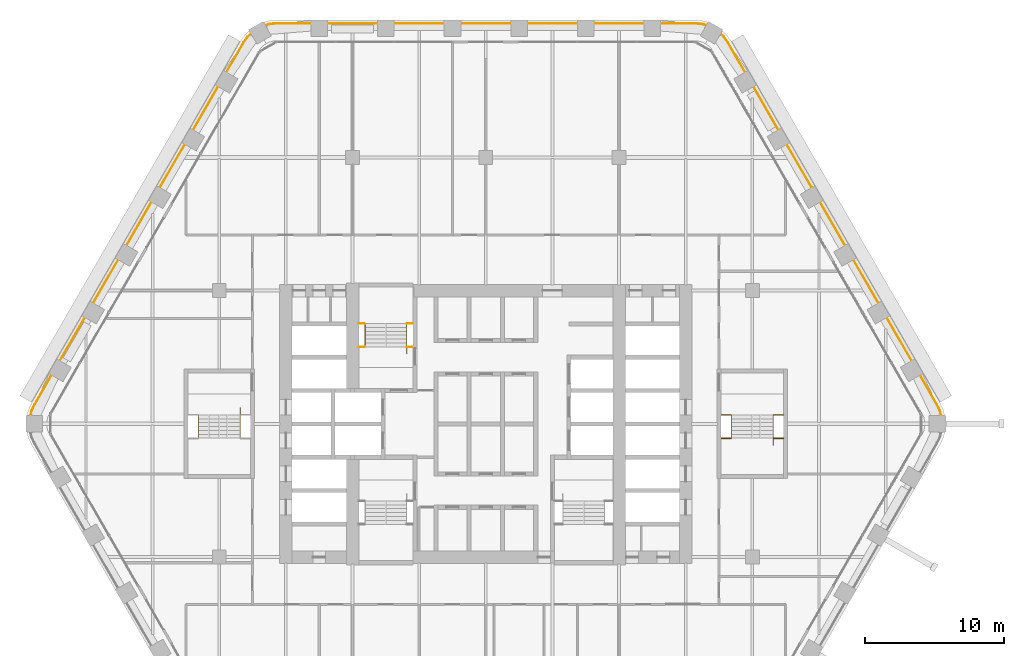
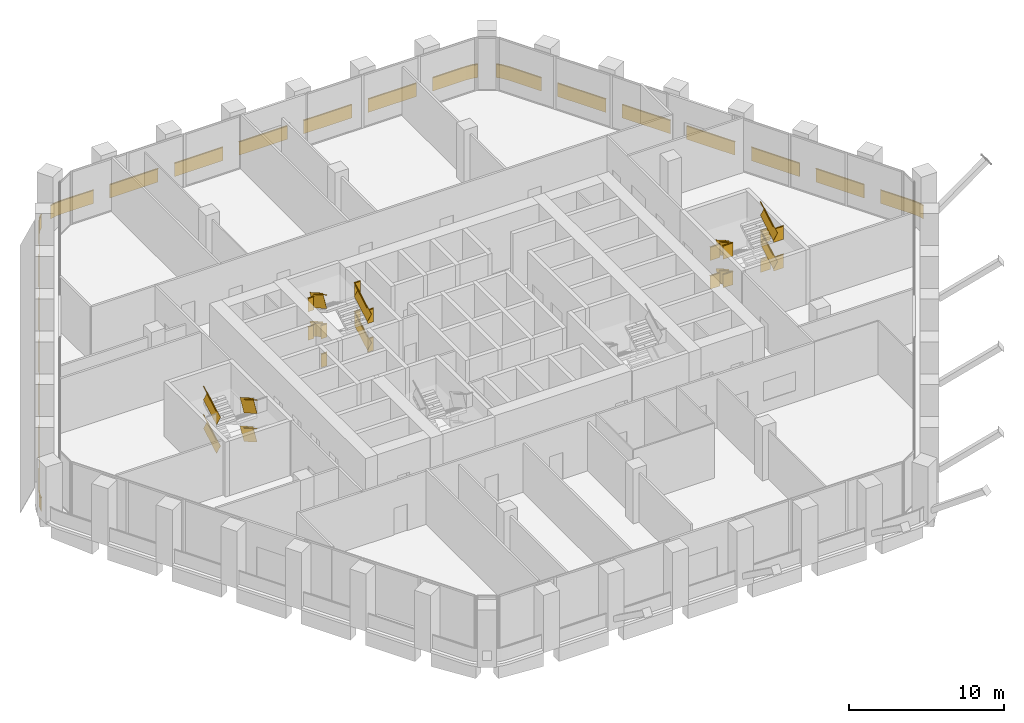
# One storey, part 24 of 24: 8 railings.
"""IFC4 building model written with IfcOpenShell, lengths in metres."""

from ifc_helpers import new_model, si_unit, direction, frame, frame_2d, origin, origin_2d, place, context, subcontext, project, spatial, rectangle, extrude, material, type_object, element, save


model = new_model("IFC4")

# Units and contexts
model_context = context("Model", 3, precision=1e-05, world=origin(), true_north=direction((0.0, 1.0)))
body_context = subcontext(model_context, "Body", "Model", "MODEL_VIEW")
ifc_project = project(units=[si_unit("LENGTHUNIT", "METRE"), si_unit("AREAUNIT", "SQUARE_METRE"), si_unit("VOLUMEUNIT", "CUBIC_METRE"), si_unit("PLANEANGLEUNIT", "RADIAN"), si_unit("MASSUNIT", "GRAM", prefix="KILO")], contexts=[model_context])

# Site, building, storey
site_placement = place(None, origin())
site = spatial("IfcSite", under=ifc_project, at=site_placement, CompositionType="ELEMENT")
building_placement = place(site_placement, origin())
building = spatial("IfcBuilding", under=site, at=building_placement, Name="Kolab Exchange Tower", CompositionType="ELEMENT")
storey_placement = place(building_placement, frame((0.0, 0.0, 86.89990234375)))
storey = spatial("IfcBuildingStorey", under=building, at=storey_placement, Name="L16", CompositionType="ELEMENT", Elevation=86.89990234375)

# Railings
ifc_material_1 = material(Name="Stainless steel 316", Category="steel")
railing_type_1 = type_object("IfcRailingType", Name="GUARD 1100", PredefinedType="GUARDRAIL", material=ifc_material_1)
railing_1_placement = place(storey_placement, frame((-9.14990234375, 5.550048828125, 0.0)))
element("IfcRailing", 1, at=railing_1_placement, inside=storey, type_object=railing_type_1, Name="Guard ST1", PredefinedType="GUARDRAIL", context=body_context, shape_type="SweptSolid", body=[
    extrude(rectangle(XDim=0.05, YDim=0.05, at=origin_2d()), frame((0.0, 0.0, 1.0751953125), z_axis=(1.0, 0.0, 0.0), x_axis=(0.0, 1.0, 0.0)), (0.0, 0.0, 1.0), 0.43994140625),
    extrude(rectangle(XDim=0.012, YDim=1.05009765625, at=frame_2d((0.0, 0.525146484375))), frame((0.0, 0.0, 0.0), z_axis=(1.0, 0.0, 0.0), x_axis=(0.0, 1.0, 0.0)), (0.0, 0.0, 1.0), 0.43994140625),
    extrude(rectangle(XDim=0.05, YDim=0.05, at=origin_2d()), frame((3.4599609375, 0.0, 1.0751953125), z_axis=(1.0, 0.0, 0.0), x_axis=(0.0, 1.0, 0.0)), (0.0, 0.0, 1.0), 0.43994140625),
    extrude(rectangle(XDim=0.012, YDim=1.05009765625, at=frame_2d((0.0, 0.525146484375))), frame((3.4599609375, 0.0, 0.0), z_axis=(1.0, 0.0, 0.0), x_axis=(0.0, 1.0, 0.0)), (0.0, 0.0, 1.0), 0.43994140625),
    extrude(rectangle(XDim=0.05, YDim=0.05, at=origin_2d()), frame((0.0, 1.679931640625, 2.2001953125), z_axis=(1.0, 0.0, 0.0), x_axis=(0.0, 1.0, 0.0)), (0.0, 0.0, 1.0), 0.43994140625),
    extrude(rectangle(XDim=0.012, YDim=1.05009765625, at=frame_2d((0.0, 0.525146484375))), frame((0.0, 1.679931640625, 1.125), z_axis=(1.0, 0.0, 0.0), x_axis=(0.0, 1.0, 0.0)), (0.0, 0.0, 1.0), 0.43994140625),
    extrude(rectangle(XDim=0.05, YDim=0.05, at=origin_2d()), frame((3.4599609375, 1.679931640625, 2.2001953125), z_axis=(1.0, 0.0, 0.0), x_axis=(0.0, 1.0, 0.0)), (0.0, 0.0, 1.0), 0.43994140625),
    extrude(rectangle(XDim=0.012, YDim=1.05009765625, at=frame_2d((0.0, 0.525146484375))), frame((3.4599609375, 1.679931640625, 1.125), z_axis=(1.0, 0.0, 0.0), x_axis=(0.0, 1.0, 0.0)), (0.0, 0.0, 1.0), 0.43994140625),
    extrude(rectangle(XDim=0.05, YDim=0.05, at=origin_2d()), frame((0.0, 0.0, 3.3251953125), z_axis=(1.0, 0.0, 0.0), x_axis=(0.0, 1.0, 0.0)), (0.0, 0.0, 1.0), 0.43994140625),
    extrude(rectangle(XDim=0.012, YDim=1.05009765625, at=frame_2d((0.0, 0.525146484375))), frame((0.0, 0.0, 2.25), z_axis=(1.0, 0.0, 0.0), x_axis=(0.0, 1.0, 0.0)), (0.0, 0.0, 1.0), 0.43994140625),
    extrude(rectangle(XDim=0.05, YDim=0.05, at=origin_2d()), frame((3.4599609375, 0.0, 3.3251953125), z_axis=(1.0, 0.0, 0.0), x_axis=(0.0, 1.0, 0.0)), (0.0, 0.0, 1.0), 0.43994140625),
    extrude(rectangle(XDim=0.012, YDim=1.05009765625, at=frame_2d((0.0, 0.525146484375))), frame((3.4599609375, 0.0, 2.25), z_axis=(1.0, 0.0, 0.0), x_axis=(0.0, 1.0, 0.0)), (0.0, 0.0, 1.0), 0.43994140625),
    extrude(rectangle(XDim=0.05, YDim=0.05, at=origin_2d()), frame((0.0, 1.679931640625, 4.4501953125), z_axis=(1.0, 0.0, 0.0), x_axis=(0.0, 1.0, 0.0)), (0.0, 0.0, 1.0), 0.43994140625),
    extrude(rectangle(XDim=0.012, YDim=1.05009765625, at=frame_2d((0.0, 0.525146484375))), frame((0.0, 1.679931640625, 3.375), z_axis=(1.0, 0.0, 0.0), x_axis=(0.0, 1.0, 0.0)), (0.0, 0.0, 1.0), 0.43994140625),
    extrude(rectangle(XDim=0.05, YDim=0.05, at=origin_2d()), frame((3.4599609375, 1.679931640625, 4.4501953125), z_axis=(1.0, 0.0, 0.0), x_axis=(0.0, 1.0, 0.0)), (0.0, 0.0, 1.0), 0.43994140625),
    extrude(rectangle(XDim=0.012, YDim=1.05009765625, at=frame_2d((0.0, 0.525146484375))), frame((3.4599609375, 1.679931640625, 3.375), z_axis=(1.0, 0.0, 0.0), x_axis=(0.0, 1.0, 0.0)), (0.0, 0.0, 1.0), 0.43994140625),
])
railing_2_placement = place(storey_placement, frame((-5.68994140625, 5.550048828125, 0.160888671875)))
element("IfcRailing", 2, at=railing_2_placement, inside=storey, type_object=railing_type_1, Name="Handrail guard ST1", PredefinedType="GUARDRAIL", context=body_context, shape_type="SweptSolid", body=[
    extrude(rectangle(XDim=0.05, YDim=0.05, at=origin_2d()), frame((0.0, 0.0, 1.0751953125), z_axis=(0.0, 0.867318599139, 0.497753400378), x_axis=(-1.0, 0.0, 0.0)), (0.0, 0.0, 1.0), 1.93701171875),
    extrude(rectangle(XDim=0.012, YDim=1.05009765625, at=frame_2d((0.0, 0.525146484375))), frame((0.0, 0.0, 0.0), z_axis=(0.0, 0.867318599139, 0.497753400378), x_axis=(-1.0, 0.0, 0.0)), (0.0, 0.0, 1.0), 1.93701171875),
    extrude(rectangle(XDim=0.05, YDim=0.05, at=origin_2d()), frame((-3.02001953125, 1.679931640625, 2.2001953125), z_axis=(0.0, -0.867318599139, 0.497753400378), x_axis=(1.0, 0.0, 0.0)), (0.0, 0.0, 1.0), 1.93701171875),
    extrude(rectangle(XDim=0.012, YDim=1.05009765625, at=frame_2d((0.0, 0.525146484375))), frame((-3.02001953125, 1.679931640625, 1.125), z_axis=(0.0, -0.867318599139, 0.497753400378), x_axis=(1.0, 0.0, 0.0)), (0.0, 0.0, 1.0), 1.93701171875),
    extrude(rectangle(XDim=0.05, YDim=0.05, at=origin_2d()), frame((0.0, 0.0, 3.3251953125), z_axis=(0.0, 0.867318599139, 0.497753400378), x_axis=(-1.0, 0.0, 0.0)), (0.0, 0.0, 1.0), 1.93701171875),
    extrude(rectangle(XDim=0.012, YDim=1.05009765625, at=frame_2d((0.0, 0.525146484375))), frame((0.0, 0.0, 2.25), z_axis=(0.0, 0.867318599139, 0.497753400378), x_axis=(-1.0, 0.0, 0.0)), (0.0, 0.0, 1.0), 1.93701171875),
    extrude(rectangle(XDim=0.05, YDim=0.05, at=origin_2d()), frame((-3.02001953125, 1.679931640625, 4.4501953125), z_axis=(0.0, -0.867318599139, 0.497753400378), x_axis=(1.0, 0.0, 0.0)), (0.0, 0.0, 1.0), 1.93701171875),
    extrude(rectangle(XDim=0.012, YDim=1.05009765625, at=frame_2d((0.0, 0.525146484375))), frame((-3.02001953125, 1.679931640625, 3.375), z_axis=(0.0, -0.867318599139, 0.497753400378), x_axis=(1.0, 0.0, 0.0)), (0.0, 0.0, 1.0), 1.93701171875),
])
railing_3_placement = place(storey_placement, frame((16.949951171875, 0.64990234375, 0.0)))
element("IfcRailing", 3, at=railing_3_placement, inside=storey, type_object=railing_type_1, Name="Guard ST4", PredefinedType="GUARDRAIL", context=body_context, shape_type="SweptSolid", body=[
    extrude(rectangle(XDim=0.05, YDim=0.05, at=origin_2d()), frame((0.0, 0.0, 1.0751953125), z_axis=(1.0, 0.0, 0.0), x_axis=(0.0, 1.0, 0.0)), (0.0, 0.0, 1.0), 0.739990234375),
    extrude(rectangle(XDim=0.012, YDim=1.05009765625, at=frame_2d((0.0, 0.525146484375))), frame((0.0, 0.0, 0.0), z_axis=(1.0, 0.0, 0.0), x_axis=(0.0, 1.0, 0.0)), (0.0, 0.0, 1.0), 0.739990234375),
    extrude(rectangle(XDim=0.05, YDim=0.05, at=origin_2d()), frame((3.760009765625, 0.0, 1.0751953125), z_axis=(1.0, 0.0, 0.0), x_axis=(0.0, 1.0, 0.0)), (0.0, 0.0, 1.0), 0.739990234375),
    extrude(rectangle(XDim=0.012, YDim=1.05009765625, at=frame_2d((0.0, 0.525146484375))), frame((3.760009765625, 0.0, 0.0), z_axis=(1.0, 0.0, 0.0), x_axis=(0.0, 1.0, 0.0)), (0.0, 0.0, 1.0), 0.739990234375),
    extrude(rectangle(XDim=0.05, YDim=0.05, at=origin_2d()), frame((0.0, -1.679931640625, 2.2001953125), z_axis=(1.0, 0.0, 0.0), x_axis=(0.0, 1.0, 0.0)), (0.0, 0.0, 1.0), 0.739990234375),
    extrude(rectangle(XDim=0.012, YDim=1.05009765625, at=frame_2d((0.0, 0.525146484375))), frame((0.0, -1.679931640625, 1.125), z_axis=(1.0, 0.0, 0.0), x_axis=(0.0, 1.0, 0.0)), (0.0, 0.0, 1.0), 0.739990234375),
    extrude(rectangle(XDim=0.05, YDim=0.05, at=origin_2d()), frame((3.760009765625, -1.679931640625, 2.2001953125), z_axis=(1.0, 0.0, 0.0), x_axis=(0.0, 1.0, 0.0)), (0.0, 0.0, 1.0), 0.739990234375),
    extrude(rectangle(XDim=0.012, YDim=1.05009765625, at=frame_2d((0.0, 0.525146484375))), frame((3.760009765625, -1.679931640625, 1.125), z_axis=(1.0, 0.0, 0.0), x_axis=(0.0, 1.0, 0.0)), (0.0, 0.0, 1.0), 0.739990234375),
    extrude(rectangle(XDim=0.05, YDim=0.05, at=origin_2d()), frame((0.0, 0.0, 3.3251953125), z_axis=(1.0, 0.0, 0.0), x_axis=(0.0, 1.0, 0.0)), (0.0, 0.0, 1.0), 0.739990234375),
    extrude(rectangle(XDim=0.012, YDim=1.05009765625, at=frame_2d((0.0, 0.525146484375))), frame((0.0, 0.0, 2.25), z_axis=(1.0, 0.0, 0.0), x_axis=(0.0, 1.0, 0.0)), (0.0, 0.0, 1.0), 0.739990234375),
    extrude(rectangle(XDim=0.05, YDim=0.05, at=origin_2d()), frame((3.760009765625, 0.0, 3.3251953125), z_axis=(1.0, 0.0, 0.0), x_axis=(0.0, 1.0, 0.0)), (0.0, 0.0, 1.0), 0.739990234375),
    extrude(rectangle(XDim=0.012, YDim=1.05009765625, at=frame_2d((0.0, 0.525146484375))), frame((3.760009765625, 0.0, 2.25), z_axis=(1.0, 0.0, 0.0), x_axis=(0.0, 1.0, 0.0)), (0.0, 0.0, 1.0), 0.739990234375),
    extrude(rectangle(XDim=0.05, YDim=0.05, at=origin_2d()), frame((0.0, -1.679931640625, 4.4501953125), z_axis=(1.0, 0.0, 0.0), x_axis=(0.0, 1.0, 0.0)), (0.0, 0.0, 1.0), 0.739990234375),
    extrude(rectangle(XDim=0.012, YDim=1.05009765625, at=frame_2d((0.0, 0.525146484375))), frame((0.0, -1.679931640625, 3.375), z_axis=(1.0, 0.0, 0.0), x_axis=(0.0, 1.0, 0.0)), (0.0, 0.0, 1.0), 0.739990234375),
    extrude(rectangle(XDim=0.05, YDim=0.05, at=origin_2d()), frame((3.760009765625, -1.679931640625, 4.4501953125), z_axis=(1.0, 0.0, 0.0), x_axis=(0.0, 1.0, 0.0)), (0.0, 0.0, 1.0), 0.739990234375),
    extrude(rectangle(XDim=0.012, YDim=1.05009765625, at=frame_2d((0.0, 0.525146484375))), frame((3.760009765625, -1.679931640625, 3.375), z_axis=(1.0, 0.0, 0.0), x_axis=(0.0, 1.0, 0.0)), (0.0, 0.0, 1.0), 0.739990234375),
])
railing_4_placement = place(storey_placement, frame((17.68994140625, 0.64990234375, 0.160888671875)))
element("IfcRailing", 4, at=railing_4_placement, inside=storey, type_object=railing_type_1, Name="Handrail guard ST4", PredefinedType="GUARDRAIL", context=body_context, shape_type="SweptSolid", body=[
    extrude(rectangle(XDim=0.05, YDim=0.05, at=origin_2d()), frame((0.0, 0.0, 1.0751953125), z_axis=(0.0, -0.867318599139, 0.497753400378), x_axis=(1.0, 0.0, 0.0)), (0.0, 0.0, 1.0), 1.93701171875),
    extrude(rectangle(XDim=0.012, YDim=1.05009765625, at=frame_2d((0.0, 0.525146484375))), frame((0.0, 0.0, 0.0), z_axis=(0.0, -0.867318599139, 0.497753400378), x_axis=(1.0, 0.0, 0.0)), (0.0, 0.0, 1.0), 1.93701171875),
    extrude(rectangle(XDim=0.05, YDim=0.05, at=origin_2d()), frame((3.02001953125, -1.679931640625, 2.2001953125), z_axis=(0.0, 0.867318599139, 0.497753400378), x_axis=(-1.0, 0.0, 0.0)), (0.0, 0.0, 1.0), 1.93701171875),
    extrude(rectangle(XDim=0.012, YDim=1.05009765625, at=frame_2d((0.0, 0.525146484375))), frame((3.02001953125, -1.679931640625, 1.125), z_axis=(0.0, 0.867318599139, 0.497753400378), x_axis=(-1.0, 0.0, 0.0)), (0.0, 0.0, 1.0), 1.93701171875),
    extrude(rectangle(XDim=0.05, YDim=0.05, at=origin_2d()), frame((0.0, 0.0, 3.3251953125), z_axis=(0.0, -0.867318599139, 0.497753400378), x_axis=(1.0, 0.0, 0.0)), (0.0, 0.0, 1.0), 1.93701171875),
    extrude(rectangle(XDim=0.012, YDim=1.05009765625, at=frame_2d((0.0, 0.525146484375))), frame((0.0, 0.0, 2.25), z_axis=(0.0, -0.867318599139, 0.497753400378), x_axis=(1.0, 0.0, 0.0)), (0.0, 0.0, 1.0), 1.93701171875),
    extrude(rectangle(XDim=0.05, YDim=0.05, at=origin_2d()), frame((3.02001953125, -1.679931640625, 4.4501953125), z_axis=(0.0, 0.867318599139, 0.497753400378), x_axis=(-1.0, 0.0, 0.0)), (0.0, 0.0, 1.0), 1.93701171875),
    extrude(rectangle(XDim=0.012, YDim=1.05009765625, at=frame_2d((0.0, 0.525146484375))), frame((3.02001953125, -1.679931640625, 3.375), z_axis=(0.0, 0.867318599139, 0.497753400378), x_axis=(-1.0, 0.0, 0.0)), (0.0, 0.0, 1.0), 1.93701171875),
])
railing_5_placement = place(storey_placement, frame((-17.68994140625, 0.64990234375, 0.160888671875)))
element("IfcRailing", 5, at=railing_5_placement, inside=storey, type_object=railing_type_1, Name="Handrail guard ST5", PredefinedType="GUARDRAIL", context=body_context, shape_type="SweptSolid", body=[
    extrude(rectangle(XDim=0.05, YDim=0.05, at=origin_2d()), frame((0.0, 0.0, 1.0751953125), z_axis=(0.0, -0.867318599139, 0.497753400378), x_axis=(1.0, 0.0, 0.0)), (0.0, 0.0, 1.0), 1.93701171875),
    extrude(rectangle(XDim=0.012, YDim=1.05009765625, at=frame_2d((0.0, 0.525146484375))), frame((0.0, 0.0, 0.0), z_axis=(0.0, -0.867318599139, 0.497753400378), x_axis=(1.0, 0.0, 0.0)), (0.0, 0.0, 1.0), 1.93701171875),
    extrude(rectangle(XDim=0.05, YDim=0.05, at=origin_2d()), frame((-3.02001953125, -1.679931640625, 2.2001953125), z_axis=(0.0, 0.867318599139, 0.497753400378), x_axis=(-1.0, 0.0, 0.0)), (0.0, 0.0, 1.0), 1.93701171875),
    extrude(rectangle(XDim=0.012, YDim=1.05009765625, at=frame_2d((0.0, 0.525146484375))), frame((-3.02001953125, -1.679931640625, 1.125), z_axis=(0.0, 0.867318599139, 0.497753400378), x_axis=(-1.0, 0.0, 0.0)), (0.0, 0.0, 1.0), 1.93701171875),
    extrude(rectangle(XDim=0.05, YDim=0.05, at=origin_2d()), frame((0.0, 0.0, 3.3251953125), z_axis=(0.0, -0.867318599139, 0.497753400378), x_axis=(1.0, 0.0, 0.0)), (0.0, 0.0, 1.0), 1.93701171875),
    extrude(rectangle(XDim=0.012, YDim=1.05009765625, at=frame_2d((0.0, 0.525146484375))), frame((0.0, 0.0, 2.25), z_axis=(0.0, -0.867318599139, 0.497753400378), x_axis=(1.0, 0.0, 0.0)), (0.0, 0.0, 1.0), 1.93701171875),
    extrude(rectangle(XDim=0.05, YDim=0.05, at=origin_2d()), frame((-3.02001953125, -1.679931640625, 4.4501953125), z_axis=(0.0, 0.867318599139, 0.497753400378), x_axis=(-1.0, 0.0, 0.0)), (0.0, 0.0, 1.0), 1.93701171875),
    extrude(rectangle(XDim=0.012, YDim=1.05009765625, at=frame_2d((0.0, 0.525146484375))), frame((-3.02001953125, -1.679931640625, 3.375), z_axis=(0.0, 0.867318599139, 0.497753400378), x_axis=(-1.0, 0.0, 0.0)), (0.0, 0.0, 1.0), 1.93701171875),
])
ifc_material_2 = material(Name="Steel S235", Category="steel")
railing_type_2 = type_object("IfcRailingType", Name="GUARD 1100 GLASS BALUSTRADE AND STEEL TOP RAIL", PredefinedType="GUARDRAIL", material=ifc_material_2)
railing_6_placement = place(storey_placement, frame((15.89208984375, 28.7138671875, 0.0)))
element("IfcRailing", 6, at=railing_6_placement, inside=storey, type_object=railing_type_2, Name="Guard", PredefinedType="GUARDRAIL", context=body_context, shape_type="SweptSolid", body=[
    extrude(rectangle(XDim=0.05, YDim=0.05, at=origin_2d()), frame((0.0, 0.0, 1.0751953125), z_axis=(-0.966008746817, 0.258509382951, 0.0), x_axis=(-0.258509382951, -0.966008746817, 0.0)), (0.0, 0.0, 1.0), 0.35888671875),
    extrude(rectangle(XDim=0.012, YDim=1.05009765625, at=frame_2d((0.0, 0.525146484375))), frame((0.0, 0.0, 0.0), z_axis=(-0.966008746817, 0.258509382951, 0.0), x_axis=(-0.258509382951, -0.966008746817, 0.0)), (0.0, 0.0, 1.0), 0.35888671875),
    extrude(rectangle(XDim=0.05, YDim=0.05, at=origin_2d()), frame((-0.3466796875, 0.0927734375, 1.0751953125), z_axis=(-0.996200348447, 0.087091134757, 0.0), x_axis=(-0.087091134757, -0.996200348447, 0.0)), (0.0, 0.0, 1.0), 0.479248046875),
    extrude(rectangle(XDim=0.012, YDim=1.05009765625, at=frame_2d((0.0, 0.525146484375))), frame((-0.3466796875, 0.0927734375, 0.0), z_axis=(-0.996200348447, 0.087091134757, 0.0), x_axis=(-0.087091134757, -0.996200348447, 0.0)), (0.0, 0.0, 1.0), 0.479248046875),
    extrude(rectangle(XDim=0.05, YDim=0.05, at=origin_2d()), frame((-0.82421875, 0.134521484375, 1.0751953125), z_axis=(-1.0, 0.0, 0.0), x_axis=(0.0, -1.0, 0.0)), (0.0, 0.0, 1.0), 2.4677734375),
    extrude(rectangle(XDim=0.012, YDim=1.05009765625, at=frame_2d((0.0, 0.525146484375))), frame((-0.82421875, 0.134521484375, 0.0), z_axis=(-1.0, 0.0, 0.0), x_axis=(0.0, -1.0, 0.0)), (0.0, 0.0, 1.0), 2.4677734375),
    extrude(rectangle(XDim=0.05, YDim=0.05, at=origin_2d()), frame((-4.4921875, 0.134521484375, 1.0751953125), z_axis=(-1.0, 0.0, 0.0), x_axis=(0.0, -1.0, 0.0)), (0.0, 0.0, 1.0), 3.599853515625),
    extrude(rectangle(XDim=0.012, YDim=1.05009765625, at=frame_2d((0.0, 0.525146484375))), frame((-4.4921875, 0.134521484375, 0.0), z_axis=(-1.0, 0.0, 0.0), x_axis=(0.0, -1.0, 0.0)), (0.0, 0.0, 1.0), 3.599853515625),
    extrude(rectangle(XDim=0.05, YDim=0.05, at=origin_2d()), frame((-9.2919921875, 0.134521484375, 1.0751953125), z_axis=(-1.0, 0.0, 0.0), x_axis=(0.0, -1.0, 0.0)), (0.0, 0.0, 1.0), 3.60009765625),
    extrude(rectangle(XDim=0.012, YDim=1.05009765625, at=frame_2d((0.0, 0.525146484375))), frame((-9.2919921875, 0.134521484375, 0.0), z_axis=(-1.0, 0.0, 0.0), x_axis=(0.0, -1.0, 0.0)), (0.0, 0.0, 1.0), 3.60009765625),
    extrude(rectangle(XDim=0.05, YDim=0.05, at=origin_2d()), frame((-14.092041015625, 0.134521484375, 1.0751953125), z_axis=(-1.0, 0.0, 0.0), x_axis=(0.0, -1.0, 0.0)), (0.0, 0.0, 1.0), 3.60009765625),
    extrude(rectangle(XDim=0.012, YDim=1.05009765625, at=frame_2d((0.0, 0.525146484375))), frame((-14.092041015625, 0.134521484375, 0.0), z_axis=(-1.0, 0.0, 0.0), x_axis=(0.0, -1.0, 0.0)), (0.0, 0.0, 1.0), 3.60009765625),
    extrude(rectangle(XDim=0.05, YDim=0.05, at=origin_2d()), frame((-18.89208984375, 0.134521484375, 1.0751953125), z_axis=(-1.0, 0.0, 0.0), x_axis=(0.0, -1.0, 0.0)), (0.0, 0.0, 1.0), 3.60009765625),
    extrude(rectangle(XDim=0.012, YDim=1.05009765625, at=frame_2d((0.0, 0.525146484375))), frame((-18.89208984375, 0.134521484375, 0.0), z_axis=(-1.0, 0.0, 0.0), x_axis=(0.0, -1.0, 0.0)), (0.0, 0.0, 1.0), 3.60009765625),
    extrude(rectangle(XDim=0.05, YDim=0.05, at=origin_2d()), frame((-23.692138671875, 0.134521484375, 1.0751953125), z_axis=(-1.0, 0.0, 0.0), x_axis=(0.0, -1.0, 0.0)), (0.0, 0.0, 1.0), 3.599853515625),
    extrude(rectangle(XDim=0.012, YDim=1.05009765625, at=frame_2d((0.0, 0.525146484375))), frame((-23.692138671875, 0.134521484375, 0.0), z_axis=(-1.0, 0.0, 0.0), x_axis=(0.0, -1.0, 0.0)), (0.0, 0.0, 1.0), 3.599853515625),
    extrude(rectangle(XDim=0.05, YDim=0.05, at=origin_2d()), frame((-28.4921875, 0.134521484375, 1.0751953125), z_axis=(-1.0, 0.0, 0.0), x_axis=(0.0, -1.0, 0.0)), (0.0, 0.0, 1.0), 2.4677734375),
    extrude(rectangle(XDim=0.012, YDim=1.05009765625, at=frame_2d((0.0, 0.525146484375))), frame((-28.4921875, 0.134521484375, 0.0), z_axis=(-1.0, 0.0, 0.0), x_axis=(0.0, -1.0, 0.0)), (0.0, 0.0, 1.0), 2.4677734375),
    extrude(rectangle(XDim=0.05, YDim=0.05, at=origin_2d()), frame((-30.9599609375, 0.134521484375, 1.0751953125), z_axis=(-0.996200348447, -0.087091134757, 0.0), x_axis=(0.087091134757, -0.996200348447, 0.0)), (0.0, 0.0, 1.0), 0.479248046875),
    extrude(rectangle(XDim=0.012, YDim=1.05009765625, at=frame_2d((0.0, 0.525146484375))), frame((-30.9599609375, 0.134521484375, 0.0), z_axis=(-0.996200348447, -0.087091134757, 0.0), x_axis=(0.087091134757, -0.996200348447, 0.0)), (0.0, 0.0, 1.0), 0.479248046875),
    extrude(rectangle(XDim=0.05, YDim=0.05, at=origin_2d()), frame((-31.4375, 0.0927734375, 1.0751953125), z_axis=(-0.966008746817, -0.258509382951, 0.0), x_axis=(0.258509382951, -0.966008746817, 0.0)), (0.0, 0.0, 1.0), 0.35888671875),
    extrude(rectangle(XDim=0.012, YDim=1.05009765625, at=frame_2d((0.0, 0.525146484375))), frame((-31.4375, 0.0927734375, 0.0), z_axis=(-0.966008746817, -0.258509382951, 0.0), x_axis=(0.258509382951, -0.966008746817, 0.0)), (0.0, 0.0, 1.0), 0.35888671875),
])
railing_7_placement = place(storey_placement, frame((32.81298828125, 0.593994140625, 0.0)))
element("IfcRailing", 7, at=railing_7_placement, inside=storey, type_object=railing_type_2, Name="Guard", PredefinedType="GUARDRAIL", context=body_context, shape_type="SweptSolid", body=[
    extrude(rectangle(XDim=0.05, YDim=0.05, at=origin_2d()), frame((0.0, 0.0, 1.0751953125), z_axis=(-0.259144041577, 0.965838685141, 0.0), x_axis=(-0.965838685141, -0.259144041577, 0.0)), (0.0, 0.0, 1.0), 0.35888671875),
    extrude(rectangle(XDim=0.012, YDim=1.05009765625, at=frame_2d((0.0, 0.525146484375))), frame((0.0, 0.0, 0.0), z_axis=(-0.259144041577, 0.965838685141, 0.0), x_axis=(-0.965838685141, -0.259144041577, 0.0)), (0.0, 0.0, 1.0), 0.35888671875),
    extrude(rectangle(XDim=0.05, YDim=0.05, at=origin_2d()), frame((-0.093017578125, 0.3466796875, 1.0751953125), z_axis=(-0.422383329074, 0.906417300872, 0.0), x_axis=(-0.906417300872, -0.422383329074, 0.0)), (0.0, 0.0, 1.0), 0.479248046875),
    extrude(rectangle(XDim=0.012, YDim=1.05009765625, at=frame_2d((0.0, 0.525146484375))), frame((-0.093017578125, 0.3466796875, 0.0), z_axis=(-0.422383329074, 0.906417300872, 0.0), x_axis=(-0.906417300872, -0.422383329074, 0.0)), (0.0, 0.0, 1.0), 0.479248046875),
    extrude(rectangle(XDim=0.05, YDim=0.05, at=origin_2d()), frame((-0.29541015625, 0.781005859375, 1.0751953125), z_axis=(-0.500064973171, 0.865987888257, 0.0), x_axis=(-0.865987888257, -0.500064973171, 0.0)), (0.0, 0.0, 1.0), 2.468017578125),
    extrude(rectangle(XDim=0.012, YDim=1.05009765625, at=frame_2d((0.0, 0.525146484375))), frame((-0.29541015625, 0.781005859375, 0.0), z_axis=(-0.500064973171, 0.865987888257, 0.0), x_axis=(-0.865987888257, -0.500064973171, 0.0)), (0.0, 0.0, 1.0), 2.468017578125),
    extrude(rectangle(XDim=0.05, YDim=0.05, at=origin_2d()), frame((-2.12939453125, 3.95751953125, 1.0751953125), z_axis=(-0.500012057535, 0.866018442252, 0.0), x_axis=(-0.866018442252, -0.500012057535, 0.0)), (0.0, 0.0, 1.0), 3.60009765625),
    extrude(rectangle(XDim=0.012, YDim=1.05009765625, at=frame_2d((0.0, 0.525146484375))), frame((-2.12939453125, 3.95751953125, 0.0), z_axis=(-0.500012057535, 0.866018442252, 0.0), x_axis=(-0.866018442252, -0.500012057535, 0.0)), (0.0, 0.0, 1.0), 3.60009765625),
    extrude(rectangle(XDim=0.05, YDim=0.05, at=origin_2d()), frame((-4.529541015625, 8.114501953125, 1.0751953125), z_axis=(-0.500012057535, 0.866018442252, 0.0), x_axis=(-0.866018442252, -0.500012057535, 0.0)), (0.0, 0.0, 1.0), 3.60009765625),
    extrude(rectangle(XDim=0.012, YDim=1.05009765625, at=frame_2d((0.0, 0.525146484375))), frame((-4.529541015625, 8.114501953125, 0.0), z_axis=(-0.500012057535, 0.866018442252, 0.0), x_axis=(-0.866018442252, -0.500012057535, 0.0)), (0.0, 0.0, 1.0), 3.60009765625),
    extrude(rectangle(XDim=0.05, YDim=0.05, at=origin_2d()), frame((-6.929443359375, 12.271484375, 1.0751953125), z_axis=(-0.500012057535, 0.866018442252, 0.0), x_axis=(-0.866018442252, -0.500012057535, 0.0)), (0.0, 0.0, 1.0), 3.60009765625),
    extrude(rectangle(XDim=0.012, YDim=1.05009765625, at=frame_2d((0.0, 0.525146484375))), frame((-6.929443359375, 12.271484375, 0.0), z_axis=(-0.500012057535, 0.866018442252, 0.0), x_axis=(-0.866018442252, -0.500012057535, 0.0)), (0.0, 0.0, 1.0), 3.60009765625),
    extrude(rectangle(XDim=0.05, YDim=0.05, at=origin_2d()), frame((-9.32958984375, 16.42822265625, 1.0751953125), z_axis=(-0.499961193289, 0.866047807691, 0.0), x_axis=(-0.866047807691, -0.499961193289, 0.0)), (0.0, 0.0, 1.0), 3.599853515625),
    extrude(rectangle(XDim=0.012, YDim=1.05009765625, at=frame_2d((0.0, 0.525146484375))), frame((-9.32958984375, 16.42822265625, 0.0), z_axis=(-0.499961193289, 0.866047807691, 0.0), x_axis=(-0.866047807691, -0.499961193289, 0.0)), (0.0, 0.0, 1.0), 3.599853515625),
    extrude(rectangle(XDim=0.05, YDim=0.05, at=origin_2d()), frame((-11.7294921875, 20.585205078125, 1.0751953125), z_axis=(-0.500012057535, 0.866018442252, 0.0), x_axis=(-0.866018442252, -0.500012057535, 0.0)), (0.0, 0.0, 1.0), 3.60009765625),
    extrude(rectangle(XDim=0.012, YDim=1.05009765625, at=frame_2d((0.0, 0.525146484375))), frame((-11.7294921875, 20.585205078125, 0.0), z_axis=(-0.500012057535, 0.866018442252, 0.0), x_axis=(-0.866018442252, -0.500012057535, 0.0)), (0.0, 0.0, 1.0), 3.60009765625),
    extrude(rectangle(XDim=0.05, YDim=0.05, at=origin_2d()), frame((-14.12939453125, 24.7421875, 1.0751953125), z_axis=(-0.500064973171, 0.865987888257, 0.0), x_axis=(-0.865987888257, -0.500064973171, 0.0)), (0.0, 0.0, 1.0), 2.468017578125),
    extrude(rectangle(XDim=0.012, YDim=1.05009765625, at=frame_2d((0.0, 0.525146484375))), frame((-14.12939453125, 24.7421875, 0.0), z_axis=(-0.500064973171, 0.865987888257, 0.0), x_axis=(-0.865987888257, -0.500064973171, 0.0)), (0.0, 0.0, 1.0), 2.468017578125),
    extrude(rectangle(XDim=0.05, YDim=0.05, at=origin_2d()), frame((-15.363525390625, 26.87939453125, 1.0751953125), z_axis=(-0.573359816273, 0.819303680624, 0.0), x_axis=(-0.819303680624, -0.573359816273, 0.0)), (0.0, 0.0, 1.0), 0.4794921875),
    extrude(rectangle(XDim=0.012, YDim=1.05009765625, at=frame_2d((0.0, 0.525146484375))), frame((-15.363525390625, 26.87939453125, 0.0), z_axis=(-0.573359816273, 0.819303680624, 0.0), x_axis=(-0.819303680624, -0.573359816273, 0.0)), (0.0, 0.0, 1.0), 0.4794921875),
    extrude(rectangle(XDim=0.05, YDim=0.05, at=origin_2d()), frame((-15.638427734375, 27.272216796875, 1.0751953125), z_axis=(-0.707106781187, 0.707106781187, 0.0), x_axis=(-0.707106781187, -0.707106781187, 0.0)), (0.0, 0.0, 1.0), 0.358642578125),
    extrude(rectangle(XDim=0.012, YDim=1.05009765625, at=frame_2d((0.0, 0.525146484375))), frame((-15.638427734375, 27.272216796875, 0.0), z_axis=(-0.707106781187, 0.707106781187, 0.0), x_axis=(-0.707106781187, -0.707106781187, 0.0)), (0.0, 0.0, 1.0), 0.358642578125),
])
railing_8_placement = place(storey_placement, frame((-16.9208984375, 28.119873046875, 0.0)))
element("IfcRailing", 8, at=railing_8_placement, inside=storey, type_object=railing_type_2, Name="Guard", PredefinedType="GUARDRAIL", context=body_context, shape_type="SweptSolid", body=[
    extrude(rectangle(XDim=0.05, YDim=0.05, at=origin_2d()), frame((0.0, 0.0, 1.0751953125), z_axis=(-0.707106781187, -0.707106781187, 0.0), x_axis=(0.707106781187, -0.707106781187, 0.0)), (0.0, 0.0, 1.0), 0.358642578125),
    extrude(rectangle(XDim=0.012, YDim=1.05009765625, at=frame_2d((0.0, 0.525146484375))), frame((0.0, 0.0, 0.0), z_axis=(-0.707106781187, -0.707106781187, 0.0), x_axis=(0.707106781187, -0.707106781187, 0.0)), (0.0, 0.0, 1.0), 0.358642578125),
    extrude(rectangle(XDim=0.05, YDim=0.05, at=origin_2d()), frame((-0.253662109375, -0.253662109375, 1.0751953125), z_axis=(-0.573359816273, -0.819303680624, 0.0), x_axis=(0.819303680624, -0.573359816273, 0.0)), (0.0, 0.0, 1.0), 0.4794921875),
    extrude(rectangle(XDim=0.012, YDim=1.05009765625, at=frame_2d((0.0, 0.525146484375))), frame((-0.253662109375, -0.253662109375, 0.0), z_axis=(-0.573359816273, -0.819303680624, 0.0), x_axis=(0.819303680624, -0.573359816273, 0.0)), (0.0, 0.0, 1.0), 0.4794921875),
    extrude(rectangle(XDim=0.05, YDim=0.05, at=origin_2d()), frame((-0.528564453125, -0.646484375, 1.0751953125), z_axis=(-0.500064973171, -0.865987888257, 0.0), x_axis=(0.865987888257, -0.500064973171, 0.0)), (0.0, 0.0, 1.0), 2.468017578125),
    extrude(rectangle(XDim=0.012, YDim=1.05009765625, at=frame_2d((0.0, 0.525146484375))), frame((-0.528564453125, -0.646484375, 0.0), z_axis=(-0.500064973171, -0.865987888257, 0.0), x_axis=(0.865987888257, -0.500064973171, 0.0)), (0.0, 0.0, 1.0), 2.468017578125),
    extrude(rectangle(XDim=0.05, YDim=0.05, at=origin_2d()), frame((-2.362548828125, -3.822998046875, 1.0751953125), z_axis=(-0.500012057535, -0.866018442252, 0.0), x_axis=(0.866018442252, -0.500012057535, 0.0)), (0.0, 0.0, 1.0), 3.60009765625),
    extrude(rectangle(XDim=0.012, YDim=1.05009765625, at=frame_2d((0.0, 0.525146484375))), frame((-2.362548828125, -3.822998046875, 0.0), z_axis=(-0.500012057535, -0.866018442252, 0.0), x_axis=(0.866018442252, -0.500012057535, 0.0)), (0.0, 0.0, 1.0), 3.60009765625),
    extrude(rectangle(XDim=0.05, YDim=0.05, at=origin_2d()), frame((-4.7626953125, -7.97998046875, 1.0751953125), z_axis=(-0.499961193289, -0.866047807691, 0.0), x_axis=(0.866047807691, -0.499961193289, 0.0)), (0.0, 0.0, 1.0), 3.599853515625),
    extrude(rectangle(XDim=0.012, YDim=1.05009765625, at=frame_2d((0.0, 0.525146484375))), frame((-4.7626953125, -7.97998046875, 0.0), z_axis=(-0.499961193289, -0.866047807691, 0.0), x_axis=(0.866047807691, -0.499961193289, 0.0)), (0.0, 0.0, 1.0), 3.599853515625),
    extrude(rectangle(XDim=0.05, YDim=0.05, at=origin_2d()), frame((-7.16259765625, -12.13671875, 1.0751953125), z_axis=(-0.500012057535, -0.866018442252, 0.0), x_axis=(0.866018442252, -0.500012057535, 0.0)), (0.0, 0.0, 1.0), 3.60009765625),
    extrude(rectangle(XDim=0.012, YDim=1.05009765625, at=frame_2d((0.0, 0.525146484375))), frame((-7.16259765625, -12.13671875, 0.0), z_axis=(-0.500012057535, -0.866018442252, 0.0), x_axis=(0.866018442252, -0.500012057535, 0.0)), (0.0, 0.0, 1.0), 3.60009765625),
    extrude(rectangle(XDim=0.05, YDim=0.05, at=origin_2d()), frame((-9.5625, -16.293701171875, 1.0751953125), z_axis=(-0.500012057535, -0.866018442252, 0.0), x_axis=(0.866018442252, -0.500012057535, 0.0)), (0.0, 0.0, 1.0), 3.60009765625),
    extrude(rectangle(XDim=0.012, YDim=1.05009765625, at=frame_2d((0.0, 0.525146484375))), frame((-9.5625, -16.293701171875, 0.0), z_axis=(-0.500012057535, -0.866018442252, 0.0), x_axis=(0.866018442252, -0.500012057535, 0.0)), (0.0, 0.0, 1.0), 3.60009765625),
    extrude(rectangle(XDim=0.05, YDim=0.05, at=origin_2d()), frame((-11.962646484375, -20.45068359375, 1.0751953125), z_axis=(-0.500012057535, -0.866018442252, 0.0), x_axis=(0.866018442252, -0.500012057535, 0.0)), (0.0, 0.0, 1.0), 3.60009765625),
    extrude(rectangle(XDim=0.012, YDim=1.05009765625, at=frame_2d((0.0, 0.525146484375))), frame((-11.962646484375, -20.45068359375, 0.0), z_axis=(-0.500012057535, -0.866018442252, 0.0), x_axis=(0.866018442252, -0.500012057535, 0.0)), (0.0, 0.0, 1.0), 3.60009765625),
    extrude(rectangle(XDim=0.05, YDim=0.05, at=origin_2d()), frame((-14.362548828125, -24.607666015625, 1.0751953125), z_axis=(-0.500064973171, -0.865987888257, 0.0), x_axis=(0.865987888257, -0.500064973171, 0.0)), (0.0, 0.0, 1.0), 2.468017578125),
    extrude(rectangle(XDim=0.012, YDim=1.05009765625, at=frame_2d((0.0, 0.525146484375))), frame((-14.362548828125, -24.607666015625, 0.0), z_axis=(-0.500064973171, -0.865987888257, 0.0), x_axis=(0.865987888257, -0.500064973171, 0.0)), (0.0, 0.0, 1.0), 2.468017578125),
    extrude(rectangle(XDim=0.05, YDim=0.05, at=origin_2d()), frame((-15.5966796875, -26.744873046875, 1.0751953125), z_axis=(-0.422383329074, -0.906417300872, 0.0), x_axis=(0.906417300872, -0.422383329074, 0.0)), (0.0, 0.0, 1.0), 0.479248046875),
    extrude(rectangle(XDim=0.012, YDim=1.05009765625, at=frame_2d((0.0, 0.525146484375))), frame((-15.5966796875, -26.744873046875, 0.0), z_axis=(-0.422383329074, -0.906417300872, 0.0), x_axis=(0.906417300872, -0.422383329074, 0.0)), (0.0, 0.0, 1.0), 0.479248046875),
    extrude(rectangle(XDim=0.05, YDim=0.05, at=origin_2d()), frame((-15.799072265625, -27.17919921875, 1.0751953125), z_axis=(-0.259144041577, -0.965838685141, 0.0), x_axis=(0.965838685141, -0.259144041577, 0.0)), (0.0, 0.0, 1.0), 0.35888671875),
    extrude(rectangle(XDim=0.012, YDim=1.05009765625, at=frame_2d((0.0, 0.525146484375))), frame((-15.799072265625, -27.17919921875, 0.0), z_axis=(-0.259144041577, -0.965838685141, 0.0), x_axis=(0.965838685141, -0.259144041577, 0.0)), (0.0, 0.0, 1.0), 0.35888671875),
])

save(model, "model.ifc")
